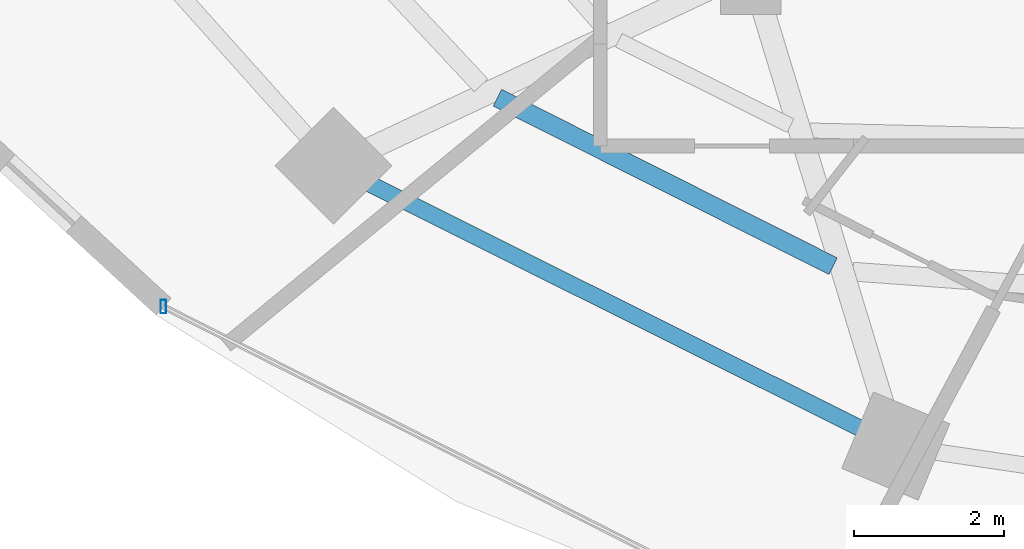
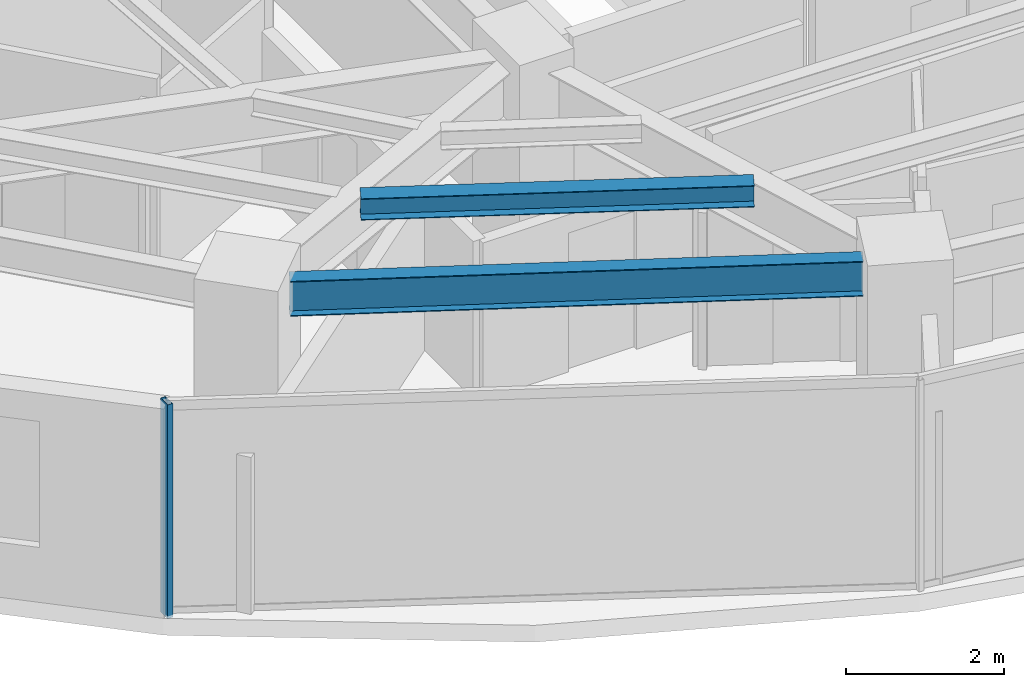
# One storey, part 2 of 29: 2 beams, 1 member, 1 element without a shape of its own.
"""IFC4 building model written with IfcOpenShell, lengths in metres."""

from ifc_helpers import new_model, si_unit, direction, frame, origin, origin_2d, place, context, subcontext, project, spatial, hollow_rectangle, i_section, extrude, material, material_profile, profile_set, type_object, element, aggregate, save


model = new_model("IFC4")

# Units and contexts
model_context = context("Model", 3, precision=1e-05, world=origin(), true_north=direction((0.0, 1.0)))
body_context = subcontext(model_context, "Body", "Model", "MODEL_VIEW")
ifc_project = project(units=[si_unit("LENGTHUNIT", "METRE"), si_unit("AREAUNIT", "SQUARE_METRE"), si_unit("VOLUMEUNIT", "CUBIC_METRE"), si_unit("PLANEANGLEUNIT", "RADIAN"), si_unit("MASSUNIT", "GRAM", prefix="KILO")], contexts=[model_context])

# Site, building, storey
site_placement = place(None, origin())
site = spatial("IfcSite", under=ifc_project, at=site_placement, CompositionType="ELEMENT")
building_placement = place(site_placement, origin())
building = spatial("IfcBuilding", under=site, at=building_placement, Name="Vorneva Point Tower", CompositionType="ELEMENT")
storey_placement = place(building_placement, frame((0.0, 0.0, 113.800048828125)))
storey = spatial("IfcBuildingStorey", under=building, at=storey_placement, Name="L30", CompositionType="ELEMENT", Elevation=113.800048828125)

# Beams
ifc_material_1 = material(Name="Steel S355", Category="steel")
ifc_material_profile_1 = material_profile(ifc_material_1, i_section(OverallWidth=0.2490234375, OverallDepth=0.333984375, WebThickness=0.008056640625, FlangeThickness=0.010986328125, at=origin_2d()), Name="35Sh1")
ifc_profile_set_1 = profile_set([ifc_material_profile_1], Name="Steel S355")
beam_type_1 = type_object("IfcBeamType", Name="BM-SEC-35Sh1", PredefinedType="BEAM", material=ifc_profile_set_1)
beam_1_placement = place(storey_placement, frame((23.88037109375, 14.74365234375, 3.072998046875), z_axis=(0.893693254795, -0.448678466537, 0.0), x_axis=(0.448678466537, 0.893693254795, 0.0)))
element("IfcBeam", 1, at=beam_1_placement, inside=storey, type_object=beam_type_1, Name="L30 Secondary Floor Beam 1.11", PredefinedType="BEAM", context=body_context, shape_type="SweptSolid", body=[
    extrude(i_section(OverallWidth=0.2490234375, OverallDepth=0.333984375, WebThickness=0.008056640625, FlangeThickness=0.010986328125, at=origin_2d()), origin(), (0.0, 0.0, 1.0), 4.997802734375),
])
ifc_material_profile_2 = material_profile(ifc_material_1, i_section(OverallWidth=0.219970703125, OverallDepth=0.54296875, WebThickness=0.009521484375, FlangeThickness=0.013427734375, at=origin_2d()), Name="55B1")
ifc_profile_set_2 = profile_set([ifc_material_profile_2], Name="Steel S355")
beam_type_2 = type_object("IfcBeamType", Name="BM-SPN-55B1", PredefinedType="SPANDREL", material=ifc_profile_set_2)
beam_2_placement = place(storey_placement, frame((22.179931640625, 13.59912109375, 2.968505859375), z_axis=(0.894915882304, -0.446234874926, 0.0), x_axis=(0.446234874926, 0.894915882304, 0.0)))
element("IfcBeam", 2, at=beam_2_placement, inside=storey, type_object=beam_type_2, Name="L30 Perimeter Spandrel Ring Beam 11", PredefinedType="SPANDREL", context=body_context, shape_type="SweptSolid", body=[
    extrude(i_section(OverallWidth=0.219970703125, OverallDepth=0.54296875, WebThickness=0.009521484375, FlangeThickness=0.013427734375, at=origin_2d()), origin(), (0.0, 0.0, 1.0), 7.285888671875),
])

# Curtain wall, member
ifc_material_2 = material(Name="Pale anodised aluminium", Category="aluminium")
curtain_wall_type = type_object("IfcCurtainWallType", Name="CW-HTL-SYS", PredefinedType="NOTDEFINED", material=ifc_material_2)
curtain_wall_placement = place(storey_placement, origin())
curtain_wall = element("IfcCurtainWall", 3, at=curtain_wall_placement, inside=storey, type_object=curtain_wall_type, Name="L30 Unitised Curtain Wall CW-L30-R04", PredefinedType="NOTDEFINED")
ifc_material_profile_3 = material_profile(ifc_material_2, hollow_rectangle(XDim=0.074951171875, YDim=0.179931640625, WallThickness=0.00390625, at=origin_2d()), Name="AL-MUL 180x75x4")
ifc_profile_set_3 = profile_set([ifc_material_profile_3], Name="Pale anodised aluminium")
member_type = type_object("IfcMemberType", Name="CW-MUL-180", PredefinedType="MULLION", material=ifc_profile_set_3)
member_placement = place(storey_placement, frame((19.4384765625, 11.9638671875, -0.0400390625), z_axis=(0.0, 0.0, 1.0), x_axis=(1.0, 0.0, 0.0)))
member = element("IfcMember", 4, at=member_placement, type_object=member_type, Name="CW-L30-R04 Mullion 01", PredefinedType="MULLION", context=body_context, shape_type="SweptSolid", body=[
    extrude(hollow_rectangle(XDim=0.074951171875, YDim=0.179931640625, WallThickness=0.00390625, at=origin_2d()), origin(), (0.0, 0.0, 1.0), 3.31005859375),
])
aggregate(curtain_wall, [member])

save(model, "model.ifc")
